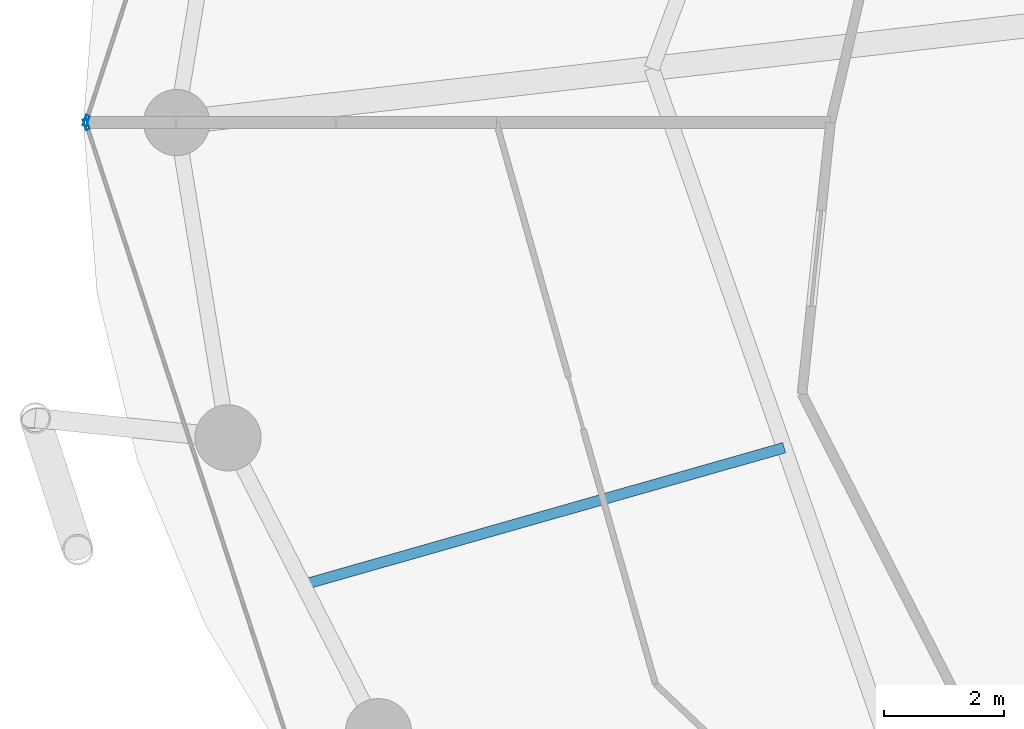
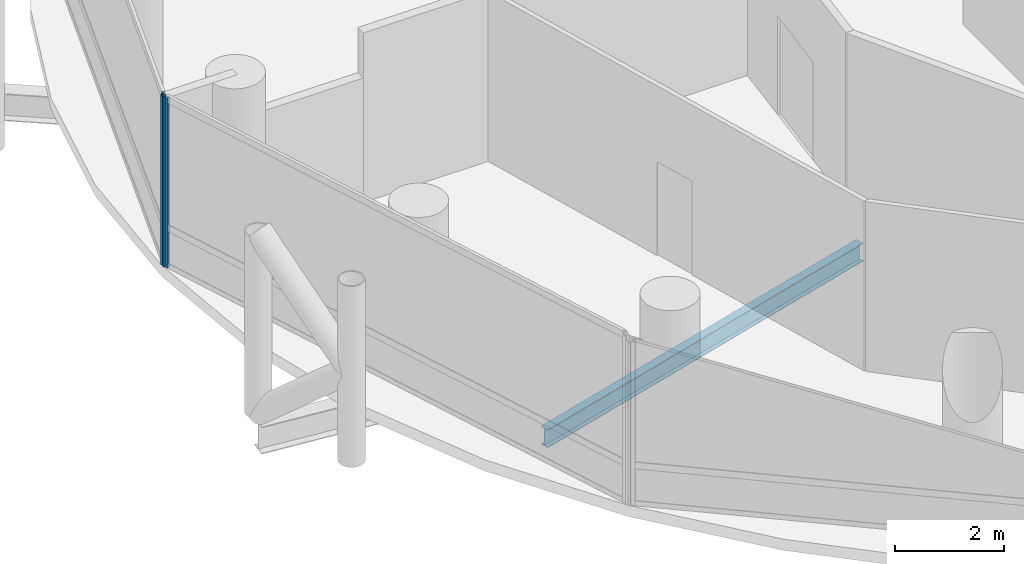
# One storey, part 6 of 24: 2 members, 1 beam, 2 elements without a shape of their own.
"""IFC4 building model written with IfcOpenShell, lengths in metres."""

from ifc_helpers import new_model, si_unit, direction, frame, origin, origin_2d, place, context, subcontext, project, spatial, hollow_rectangle, i_section, extrude, material, layer, layer_set, material_profile, profile_set, type_object, element, aggregate, save


model = new_model("IFC4")

# Units and contexts
model_context = context("Model", 3, precision=1e-05, world=origin(), true_north=direction((0.0, 1.0)))
body_context = subcontext(model_context, "Body", "Model", "MODEL_VIEW")
ifc_project = project(units=[si_unit("LENGTHUNIT", "METRE"), si_unit("AREAUNIT", "SQUARE_METRE"), si_unit("VOLUMEUNIT", "CUBIC_METRE"), si_unit("PLANEANGLEUNIT", "RADIAN"), si_unit("MASSUNIT", "GRAM", prefix="KILO")], contexts=[model_context])

# Site, building, storey
site_placement = place(None, origin())
site = spatial("IfcSite", under=ifc_project, at=site_placement, CompositionType="ELEMENT")
building_placement = place(site_placement, origin())
building = spatial("IfcBuilding", under=site, at=building_placement, Name="Nuhasar Tower", CompositionType="ELEMENT")
storey_placement = place(building_placement, frame((0.0, 0.0, 73.64990234375)))
storey = spatial("IfcBuildingStorey", under=building, at=storey_placement, Name="L17", CompositionType="ELEMENT", Elevation=73.64990234375)

# Beam
ifc_material_1 = material(Name="Steel S355", Category="steel")
ifc_material_profile_1 = material_profile(ifc_material_1, i_section(OverallWidth=0.177978515625, OverallDepth=0.406005859375, WebThickness=0.0078125, FlangeThickness=0.0126953125, at=origin_2d()), Name="W16X40")
ifc_profile_set_1 = profile_set([ifc_material_profile_1], Name="Steel S355")
beam_type = type_object("IfcBeamType", Name="BM-JST-W16X40", PredefinedType="JOIST", material=ifc_profile_set_1)
beam_placement = place(storey_placement, frame((24.051025390625, 21.39501953125, -0.452880859375), z_axis=(-0.961730884496, -0.273995813484, 0.0), x_axis=(0.273995813484, -0.961730884496, 0.0)))
element("IfcBeam", 1, at=beam_placement, inside=storey, type_object=beam_type, Name="L17 Secondary Floor Joist 08", PredefinedType="JOIST", context=body_context, shape_type="SweptSolid", body=[
    extrude(i_section(OverallWidth=0.177978515625, OverallDepth=0.406005859375, WebThickness=0.0078125, FlangeThickness=0.0126953125, at=origin_2d()), origin(), (0.0, 0.0, 1.0), 8.314208984375),
])

# Curtain wall, member
ifc_material_2 = material(Name="Aluminium 6063-T6", Category="aluminium")
ifc_layer = layer(ifc_material_2, 0.199951171875)
ifc_layer_set = layer_set([ifc_layer], Name="Aluminium 6063-T6")
curtain_wall_type = type_object("IfcCurtainWallType", Name="CW-Z1-OFF", PredefinedType="NOTDEFINED", material=ifc_layer_set)
curtain_wall_1_placement = place(storey_placement, origin())
curtain_wall_1 = element("IfcCurtainWall", 2, at=curtain_wall_1_placement, inside=storey, type_object=curtain_wall_type, Name="L17 Unitised Curtain Wall 06", PredefinedType="NOTDEFINED")
ifc_material_profile_2 = material_profile(ifc_material_2, hollow_rectangle(XDim=0.06494140625, YDim=0.179931640625, WallThickness=0.0048828125, at=origin_2d()), Name="CWM-2")
ifc_profile_set_2 = profile_set([ifc_material_profile_2], Name="Aluminium 6063-T6")
member_type = type_object("IfcMemberType", Name="CW-MUL-S2", PredefinedType="MULLION", material=ifc_profile_set_2)
member_1_placement = place(storey_placement, frame((12.4501953125, 26.830810546875, 0.0), z_axis=(0.0, 0.0, 1.0), x_axis=(0.950467534571, -0.310823849997, 0.0)))
member_1 = element("IfcMember", 3, at=member_1_placement, type_object=member_type, Name="CW-Z1 mullion 2", PredefinedType="MULLION", context=body_context, shape_type="SweptSolid", body=[
    extrude(hollow_rectangle(XDim=0.06494140625, YDim=0.179931640625, WallThickness=0.0048828125, at=origin_2d()), origin(), (0.0, 0.0, 1.0), 3.800048828125),
])
aggregate(curtain_wall_1, [member_1])

curtain_wall_2_placement = place(storey_placement, origin())
curtain_wall_2 = element("IfcCurtainWall", 4, at=curtain_wall_2_placement, inside=storey, type_object=curtain_wall_type, Name="L17 Unitised Curtain Wall 07", PredefinedType="NOTDEFINED")
member_2_placement = place(storey_placement, frame((12.4501953125, 26.76904296875, 0.0), z_axis=(0.0, 0.0, 1.0), x_axis=(0.950467534571, 0.310823849997, 0.0)))
member_2 = element("IfcMember", 5, at=member_2_placement, type_object=member_type, Name="CW-Z1 mullion 1", PredefinedType="MULLION", context=body_context, shape_type="SweptSolid", body=[
    extrude(hollow_rectangle(XDim=0.06494140625, YDim=0.179931640625, WallThickness=0.0048828125, at=origin_2d()), origin(), (0.0, 0.0, 1.0), 3.800048828125),
])
aggregate(curtain_wall_2, [member_2])

save(model, "model.ifc")
